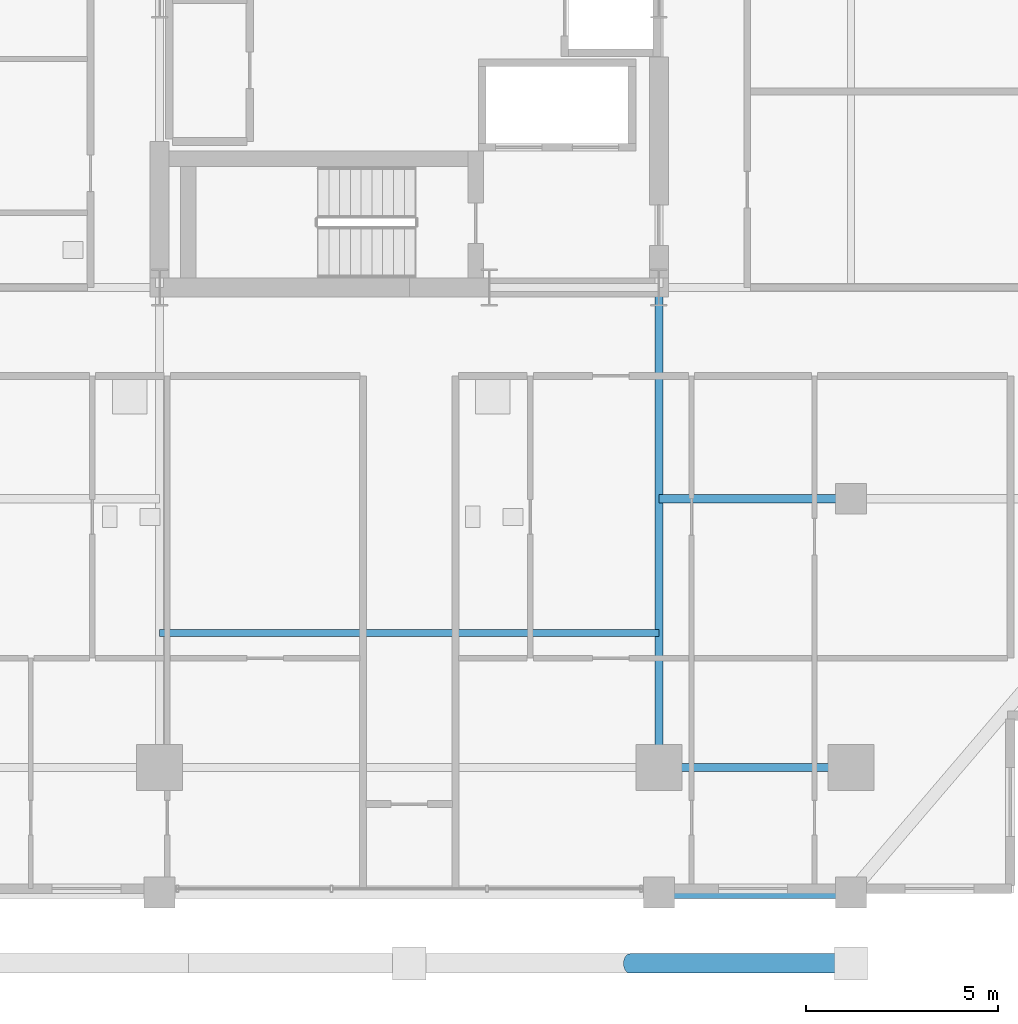
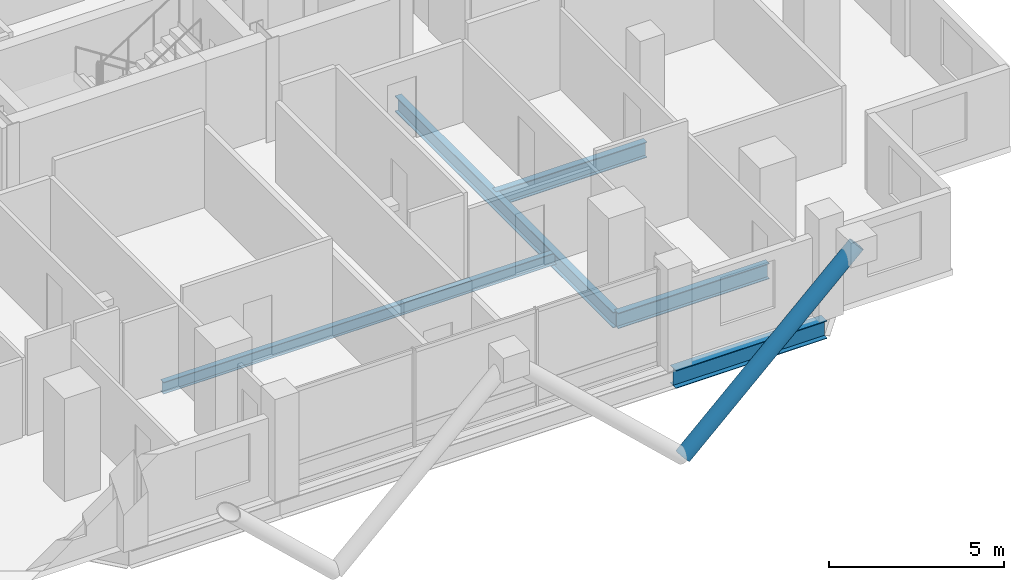
# One storey, part 3 of 23: 5 beams, 1 member.
"""IFC4 building model written with IfcOpenShell, lengths in metres."""

import ifcopenshell
import ifcopenshell.guid

model = None  # the IFC model being written
_history = None  # IfcOwnerHistory: only IFC2X3 demands one
_inside = {}  # id of a spatial element -> (the spatial element, [elements in it])
_under = {}  # id of a project, library or spatial element -> (it, [spatial elements below it])
_declared = {}  # id of a project -> (the project, [libraries it declares])
_typed = {}  # id of a type object -> (the type object, [elements of that type])
_made_of = {}  # id of a material, layer set ... -> (it, [elements and type objects made of it])


def new_model(schema):
    """Start an empty IFC model of exactly this schema.

    Asked for "IFC4X3", IfcOpenShell would pick the latest addendum, in which some entities
    have other attributes; the version numbers below select the first issue.
    IFC2X3 requires an IfcOwnerHistory on every rooted entity: one is made here for all.
    """
    global model, _history
    if schema == "IFC4X3":
        model = ifcopenshell.file(schema_version=(4, 3, 0, 0))
    else:
        model = ifcopenshell.file(schema=schema)
    _inside.clear()
    _under.clear()
    _declared.clear()
    _typed.clear()
    _made_of.clear()
    _history = None
    if model.schema == "IFC2X3":
        org = make("IfcOrganization", Name="unknown")
        user = make(
            "IfcPersonAndOrganization",
            ThePerson=make("IfcPerson", FamilyName="unknown"),
            TheOrganization=org,
        )
        app = make(
            "IfcApplication",
            ApplicationDeveloper=org,
            Version="unknown",
            ApplicationFullName="unknown",
            ApplicationIdentifier="unknown",
        )
        _history = make(
            "IfcOwnerHistory",
            OwningUser=user,
            OwningApplication=app,
            ChangeAction="ADDED",
            CreationDate=0,
        )
    return model


def make(cls, **values):
    """One entity of the class cls with the attributes given. An attribute that is None is left unset."""
    return model.create_entity(
        cls, **{name: value for name, value in values.items() if value is not None}
    )


def rooted(cls, **values):
    """An entity with a GlobalId (a new one), such as an element, a storey or a relation."""
    return make(cls, GlobalId=ifcopenshell.guid.new(), OwnerHistory=_history, **values)


def si_unit(unit_type, name, prefix=None):
    """IfcSIUnit, for example si_unit("LENGTHUNIT", "METRE", prefix="MILLI")."""
    return make("IfcSIUnit", UnitType=unit_type, Prefix=prefix, Name=name)


def assignment(units):
    """IfcUnitAssignment: the units of a project."""
    return None if units is None else make("IfcUnitAssignment", Units=units)


def point(xyz):
    """IfcCartesianPoint."""
    return None if xyz is None else make("IfcCartesianPoint", Coordinates=xyz)


def direction(xyz):
    """IfcDirection."""
    return None if xyz is None else make("IfcDirection", DirectionRatios=xyz)


def frame(location, z_axis=None, x_axis=None):
    """IfcAxis2Placement3D, a coordinate frame: its origin and axes. An axis left out is left unset."""
    return make(
        "IfcAxis2Placement3D",
        Location=point(location),
        Axis=direction(z_axis),
        RefDirection=direction(x_axis),
    )


def frame_2d(location, x_axis=None):
    """IfcAxis2Placement2D, a coordinate frame in the plane: its origin and x axis."""
    return make(
        "IfcAxis2Placement2D", Location=point(location), RefDirection=direction(x_axis)
    )


def origin():
    """The frame at (0, 0, 0) with its axes left unset."""
    return frame((0.0, 0.0, 0.0))


def origin_2d():
    """The frame at (0, 0) in the plane with its x axis left unset."""
    return frame_2d((0.0, 0.0))


def place(relative_to, where):
    """IfcLocalPlacement: puts the frame where relative to a parent placement (None: the world)."""
    return make(
        "IfcLocalPlacement", PlacementRelTo=relative_to, RelativePlacement=where
    )


def context(
    kind, dimensions, precision=None, world=None, true_north=None, identifier=None
):
    """IfcGeometricRepresentationContext, for example the 3D "Model" context."""
    return make(
        "IfcGeometricRepresentationContext",
        ContextIdentifier=identifier,
        ContextType=kind,
        CoordinateSpaceDimension=dimensions,
        Precision=precision,
        WorldCoordinateSystem=world,
        TrueNorth=true_north,
    )


def subcontext(parent, identifier, kind, view, scale=None):
    """IfcGeometricRepresentationSubContext, for example "Body" below "Model"."""
    return make(
        "IfcGeometricRepresentationSubContext",
        ContextIdentifier=identifier,
        ContextType=kind,
        ParentContext=parent,
        TargetScale=scale,
        TargetView=view,
    )


def project(units=None, contexts=None):
    """IfcProject with its units and contexts."""
    return rooted(
        "IfcProject",
        Name="project",
        RepresentationContexts=contexts,
        UnitsInContext=assignment(units),
    )


def spatial(cls, under=None, at=None, **own):
    """A site, building, storey or space (cls), placed at a placement, below another one or the project."""
    s = rooted(cls, ObjectPlacement=at, **own)
    if under is not None:
        _under.setdefault(under.id(), (under, []))[1].append(s)
    return s


def profile(cls, at=None, kind="AREA", **sizes):
    """A parametric profile (cls). Its sizes go by their IFC names, for example OverallWidth=200.0."""
    return make(cls, ProfileType=kind, Position=at, **sizes)


def hollow_circle(**sizes):
    """IfcCircleHollowProfileDef."""
    return profile("IfcCircleHollowProfileDef", **sizes)


def i_section(**sizes):
    """IfcIShapeProfileDef."""
    return profile("IfcIShapeProfileDef", **sizes)


def extrude(swept, where, along, depth):
    """IfcExtrudedAreaSolid: the profile swept, set in the frame where, extruded along a direction by depth."""
    return make(
        "IfcExtrudedAreaSolid",
        SweptArea=swept,
        Position=where,
        ExtrudedDirection=direction(along),
        Depth=depth,
    )


def shape(context_of_items, identifier, shape_type, items):
    """IfcShapeRepresentation: the items that make up one representation, for example the "Body"."""
    return make(
        "IfcShapeRepresentation",
        ContextOfItems=context_of_items,
        RepresentationIdentifier=identifier,
        RepresentationType=shape_type,
        Items=items,
    )


def material(Name=None, Category=None):
    """IfcMaterial."""
    return make("IfcMaterial", Name=Name, Category=Category)


def material_profile(
    of_material, cross_section, Name=None, Category=None, Priority=None
):
    """IfcMaterialProfile: a cross section and its material."""
    return make(
        "IfcMaterialProfile",
        Name=Name,
        Material=of_material,
        Profile=cross_section,
        Priority=Priority,
        Category=Category,
    )


def profile_set(profiles, Name=None, composite=None):
    """IfcMaterialProfileSet."""
    return make(
        "IfcMaterialProfileSet",
        Name=Name,
        MaterialProfiles=profiles,
        CompositeProfile=composite,
    )


def made_of(thing, what):
    """Note that an element or type object is made of a material, layer set ...; save() writes the relation."""
    if what is not None:
        _made_of.setdefault(what.id(), (what, []))[1].append(thing)
    return thing


def type_object(cls, material=None, **own):
    """A type object (cls), such as IfcWallType, which elements share."""
    return made_of(rooted(cls, **own), material)


def element(
    cls,
    number,
    at=None,
    inside=None,
    cuts=None,
    type_object=None,
    material=None,
    context=None,
    identifier="Body",
    shape_type=None,
    held_by="IfcProductDefinitionShape",
    body=None,
    shapes=None,
    **own,
):
    """One element of the class cls, such as IfcWall. Its Tag is "e" and its number.

    at: its placement. inside: the storey or other place that contains it. cuts: it is an
    opening in that element (IfcRelVoidsElement). A single representation is given by context,
    identifier, shape_type and body (its items); several are given by shapes. held_by: the class
    of the entity that holds the representations. save() writes the other relations.
    """
    e = rooted(cls, Tag="e%d" % number, ObjectPlacement=at, **own)
    if body is not None:
        shapes = [shape(context, identifier, shape_type, body)]
    if shapes is not None:
        e.Representation = make(held_by, Representations=shapes)
    if inside is not None:
        _inside.setdefault(inside.id(), (inside, []))[1].append(e)
    if cuts is not None:
        rooted(
            "IfcRelVoidsElement", RelatingBuildingElement=cuts, RelatedOpeningElement=e
        )
    if type_object is not None:
        _typed.setdefault(type_object.id(), (type_object, []))[1].append(e)
    return made_of(e, material)


def aggregate(whole, parts):
    """IfcRelAggregates: a whole, such as a stair, and the parts it consists of."""
    return rooted("IfcRelAggregates", RelatingObject=whole, RelatedObjects=parts)


def save(model, path):
    """Write the relations noted so far, then the file.

    IfcRelAggregates (storeys below a building ...), IfcRelContainedInSpatialStructure (elements
    in a storey), IfcRelDefinesByType, IfcRelAssociatesMaterial and IfcRelDeclares: one each for
    every whole, place, type object, material and project.
    """
    for whole, parts in _under.values():
        aggregate(whole, parts)
    for where, things in _inside.values():
        rooted(
            "IfcRelContainedInSpatialStructure",
            RelatedElements=things,
            RelatingStructure=where,
        )
    for kind, things in _typed.values():
        rooted("IfcRelDefinesByType", RelatedObjects=things, RelatingType=kind)
    for what, things in _made_of.values():
        rooted("IfcRelAssociatesMaterial", RelatedObjects=things, RelatingMaterial=what)
    for by, libraries in _declared.values():
        rooted("IfcRelDeclares", RelatingContext=by, RelatedDefinitions=libraries)
    model.write(path)


model = new_model("IFC4")

# Units and contexts
model_context = context("Model", 3, precision=1e-05, world=origin(), true_north=direction((0.0, 1.0)))
body_context = subcontext(model_context, "Body", "Model", "MODEL_VIEW")
ifc_project = project(units=[si_unit("LENGTHUNIT", "METRE"), si_unit("AREAUNIT", "SQUARE_METRE"), si_unit("VOLUMEUNIT", "CUBIC_METRE"), si_unit("PLANEANGLEUNIT", "RADIAN"), si_unit("MASSUNIT", "GRAM", prefix="KILO")], contexts=[model_context])

# Site, building, storey
site_placement = place(None, origin())
site = spatial("IfcSite", under=ifc_project, at=site_placement, CompositionType="ELEMENT")
building_placement = place(site_placement, origin())
building = spatial("IfcBuilding", under=site, at=building_placement, Name="Barlavira Tower and Art Museum", CompositionType="ELEMENT")
storey_placement = place(building_placement, frame((0.0, 0.0, 140.39990234375)))
storey = spatial("IfcBuildingStorey", under=building, at=storey_placement, Name="L35", CompositionType="ELEMENT", Elevation=140.39990234375)

# Member
ifc_material = material(Name="Steel S355", Category="steel")
ifc_material_profile_1 = material_profile(ifc_material, hollow_circle(Radius=0.25390625, WallThickness=0.022216796875, at=origin_2d()), Name="CHS 508.0x22.2")
ifc_profile_set_1 = profile_set([ifc_material_profile_1], Name="Steel S355")
member_type = type_object("IfcMemberType", Name="Pale-Metal Exoskeleton Diagrid Tube CHS 508x22 Steel S355", PredefinedType="BRACE", material=ifc_profile_set_1)
member_placement = place(storey_placement, frame((5.75, -25.10009765625, -1.919921875), z_axis=(0.728950095515, 0.0, 0.684566839869), x_axis=(0.0, 1.0, 0.0)))
element("IfcMember", 1, at=member_placement, inside=storey, type_object=member_type, Name="L35 Exoskeleton Diagrid Tube S", PredefinedType="BRACE", context=body_context, shape_type="SweptSolid", body=[
    extrude(hollow_circle(Radius=0.25390625, WallThickness=0.022216796875, at=origin_2d()), origin(), (0.0, 0.0, 1.0), 7.887939453125),
])

# Beams
ifc_material_profile_2 = material_profile(ifc_material, i_section(OverallWidth=0.327880859375, OverallDepth=0.62890625, WebThickness=0.013916015625, FlangeThickness=0.021484375, at=origin_2d()), Name="W610x174.0")
ifc_profile_set_2 = profile_set([ifc_material_profile_2], Name="Steel S355")
beam_type_1 = type_object("IfcBeamType", Name="Perimeter Spandrel Edge Beam W610x174 Steel S355", PredefinedType="SPANDREL", material=ifc_profile_set_2)
beam_1_placement = place(storey_placement, frame((6.5, -23.25, -0.534423828125), z_axis=(1.0, 0.0, 0.0), x_axis=(0.0, 1.0, 0.0)))
element("IfcBeam", 2, at=beam_1_placement, inside=storey, type_object=beam_type_1, Name="L35 Spandrel 3", PredefinedType="SPANDREL", context=body_context, shape_type="SweptSolid", body=[
    extrude(i_section(OverallWidth=0.327880859375, OverallDepth=0.62890625, WebThickness=0.013916015625, FlangeThickness=0.021484375, at=origin_2d()), origin(), (0.0, 0.0, 1.0), 5.0),
])
ifc_material_profile_3 = material_profile(ifc_material, i_section(OverallWidth=0.214111328125, OverallDepth=0.549072265625, WebThickness=0.0146484375, FlangeThickness=0.023681640625, at=origin_2d()), Name="W530x138.0")
ifc_profile_set_3 = profile_set([ifc_material_profile_3], Name="Steel S355")
beam_type_2 = type_object("IfcBeamType", Name="Zone 1 Primary Floor Girder W530x138 Steel S355", PredefinedType="BEAM", material=ifc_profile_set_3)
beam_2_placement = place(storey_placement, frame((6.5, -20.0, -0.494384765625), z_axis=(1.0, 0.0, 0.0), x_axis=(0.0, 1.0, 0.0)))
element("IfcBeam", 3, at=beam_2_placement, inside=storey, type_object=beam_type_2, Name="L35 Girder M-S3", PredefinedType="BEAM", context=body_context, shape_type="SweptSolid", body=[
    extrude(i_section(OverallWidth=0.214111328125, OverallDepth=0.549072265625, WebThickness=0.0146484375, FlangeThickness=0.023681640625, at=origin_2d()), origin(), (0.0, 0.0, 1.0), 5.0),
])
beam_3_placement = place(storey_placement, frame((6.5, -20.0, -0.494384765625), z_axis=(0.0, 1.0, 0.0), x_axis=(-1.0, 0.0, 0.0)))
element("IfcBeam", 4, at=beam_3_placement, inside=storey, type_object=beam_type_2, Name="L35 Girder R-S2", PredefinedType="BEAM", context=body_context, shape_type="SweptSolid", body=[
    extrude(i_section(OverallWidth=0.214111328125, OverallDepth=0.549072265625, WebThickness=0.0146484375, FlangeThickness=0.023681640625, at=origin_2d()), origin(), (0.0, 0.0, 1.0), 12.5),
])
beam_4_placement = place(storey_placement, frame((6.5, -13.0, -0.494384765625), z_axis=(1.0, 0.0, 0.0), x_axis=(0.0, 1.0, 0.0)))
element("IfcBeam", 5, at=beam_4_placement, inside=storey, type_object=beam_type_2, Name="L35 Girder I-S3", PredefinedType="BEAM", context=body_context, shape_type="SweptSolid", body=[
    extrude(i_section(OverallWidth=0.214111328125, OverallDepth=0.549072265625, WebThickness=0.0146484375, FlangeThickness=0.023681640625, at=origin_2d()), origin(), (0.0, 0.0, 1.0), 5.0),
])
ifc_material_profile_4 = material_profile(ifc_material, i_section(OverallWidth=0.179931640625, OverallDepth=0.4130859375, WebThickness=0.009765625, FlangeThickness=0.01611328125, at=origin_2d()), Name="W410x75.0")
ifc_profile_set_4 = profile_set([ifc_material_profile_4], Name="Steel S355")
beam_type_3 = type_object("IfcBeamType", Name="Zone 2 Composite Floor Joist W410x75 Steel S355", PredefinedType="JOIST", material=ifc_profile_set_4)
beam_5_placement = place(storey_placement, frame((-6.5, -16.5, -0.426513671875), z_axis=(1.0, 0.0, 0.0), x_axis=(0.0, 1.0, 0.0)))
element("IfcBeam", 6, at=beam_5_placement, inside=storey, type_object=beam_type_3, Name="L35 Joist C1", PredefinedType="JOIST", context=body_context, shape_type="SweptSolid", body=[
    extrude(i_section(OverallWidth=0.179931640625, OverallDepth=0.4130859375, WebThickness=0.009765625, FlangeThickness=0.01611328125, at=origin_2d()), origin(), (0.0, 0.0, 1.0), 13.0),
])

save(model, "model.ifc")
